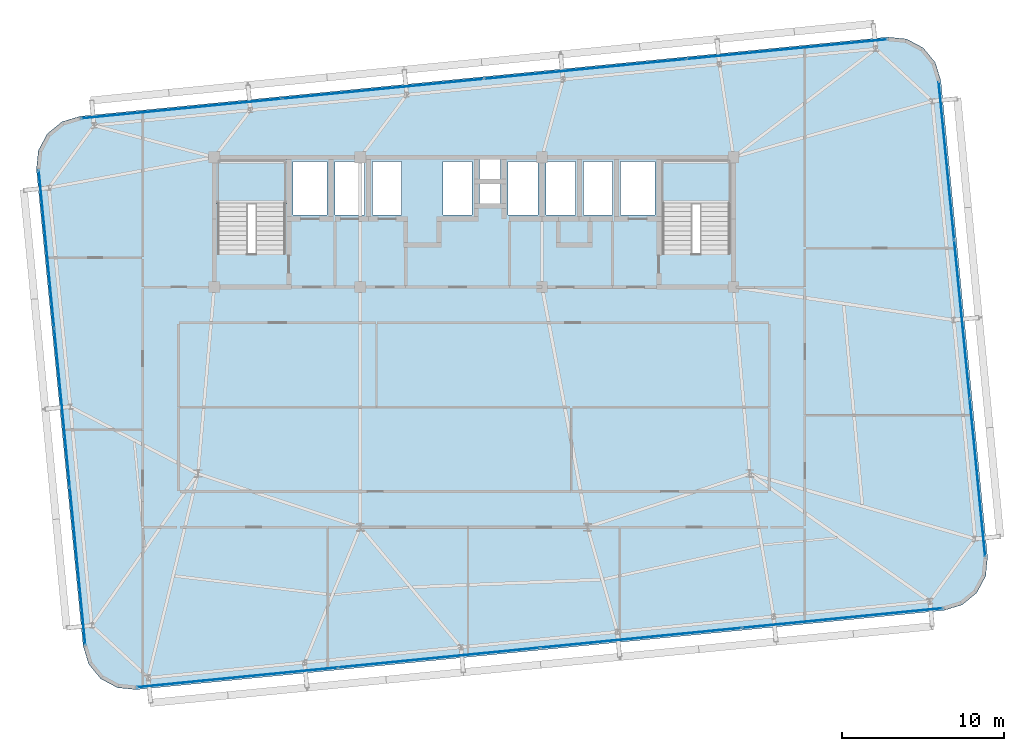
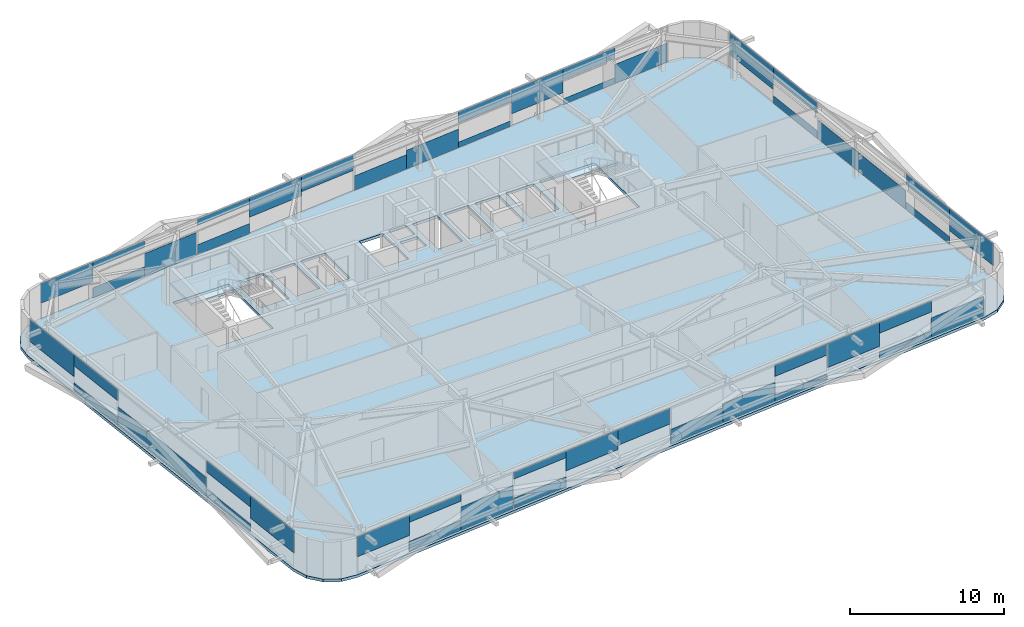
# One storey, part 32 of 47: 46 plates, 3 slabs, 6 elements without a shape of their own.
"""IFC4 building model written with IfcOpenShell, lengths in metres."""

from ifc_helpers import new_model, si_unit, direction, frame, origin, origin_2d, place, context, subcontext, project, spatial, polyline, rectangle, outline, extrude, source, transform, mapped, material, layer, layer_set, type_object, element, aggregate, save


model = new_model("IFC4")

# Units and contexts
model_context = context("Model", 3, precision=1e-05, world=origin(), true_north=direction((0.0, 1.0)))
body_context = subcontext(model_context, "Body", "Model", "MODEL_VIEW")
ifc_project = project(units=[si_unit("LENGTHUNIT", "METRE"), si_unit("AREAUNIT", "SQUARE_METRE"), si_unit("VOLUMEUNIT", "CUBIC_METRE"), si_unit("PLANEANGLEUNIT", "RADIAN"), si_unit("MASSUNIT", "GRAM", prefix="KILO")], contexts=[model_context])

# Site, building, storey
site_placement = place(None, origin())
site = spatial("IfcSite", under=ifc_project, at=site_placement, CompositionType="ELEMENT")
building_placement = place(site_placement, origin())
building = spatial("IfcBuilding", under=site, at=building_placement, Name="Taldren Reach Tower", CompositionType="ELEMENT")
storey_placement = place(building_placement, frame((0.0, 0.0, 87.14990234375)))
storey = spatial("IfcBuildingStorey", under=building, at=storey_placement, Name="L26", CompositionType="ELEMENT", Elevation=87.14990234375)

# Slab
ifc_material_1 = material(Name="Concrete N40 (40 MPa)", Category="concrete")
ifc_layer_1 = layer(ifc_material_1, 0.219970703125)
ifc_layer_set_1 = layer_set([ifc_layer_1], Name="Concrete N40 (40 MPa)")
slab_type_1 = type_object("IfcSlabType", Name="SL-FLR-220", PredefinedType="FLOOR", material=ifc_layer_set_1)
slab_1_placement = place(storey_placement, frame((0.0, 0.0, -0.219970703125)))
element("IfcSlab", 1, at=slab_1_placement, inside=storey, type_object=slab_type_1, Name="Suspended floor slab L26", PredefinedType="FLOOR", context=body_context, shape_type="SweptSolid", body=[
    extrude(outline(polyline([(63.962890625, 4.07421875), (65.0830078125, 4.41357421875), (65.98828125, 5.15576171875), (66.54052734375, 6.187744140625), (66.65576171875, 7.352783203125), (63.777099609375, 36.7119140625), (63.437744140625, 37.832275390625), (62.695556640625, 38.7373046875), (61.663330078125, 39.28955078125), (60.49853515625, 39.40478515625), (10.7373046875, 34.525634765625), (9.616943359375, 34.1865234375), (8.711669921875, 33.4443359375), (8.159423828125, 32.412109375), (8.044189453125, 31.247314453125), (10.923095703125, 1.88818359375), (11.26220703125, 0.767822265625), (12.00439453125, -0.137451171875), (13.03662109375, -0.689697265625), (14.201416015625, -0.804931640625), (63.962890625, 4.07421875)]), holes=[polyline([(19.219970703125, 26.050048828125), (23.3798828125, 26.050048828125), (23.3798828125, 31.820068359375), (19.219970703125, 31.820068359375), (19.219970703125, 26.050048828125)]), polyline([(46.6201171875, 26.050048828125), (50.780029296875, 26.050048828125), (50.780029296875, 31.820068359375), (46.6201171875, 31.820068359375), (46.6201171875, 26.050048828125)]), polyline([(23.85009765625, 28.449951171875), (25.949951171875, 28.449951171875), (25.949951171875, 31.75), (23.85009765625, 31.75), (23.85009765625, 28.449951171875)]), polyline([(44.050048828125, 28.449951171875), (46.14990234375, 28.449951171875), (46.14990234375, 31.75), (44.050048828125, 31.75), (44.050048828125, 28.449951171875)]), polyline([(26.449951171875, 28.449951171875), (28.25, 28.449951171875), (28.25, 31.75), (26.449951171875, 31.75), (26.449951171875, 28.449951171875)]), polyline([(28.75, 28.449951171875), (30.550048828125, 28.449951171875), (30.550048828125, 31.75), (28.75, 31.75), (28.75, 28.449951171875)]), polyline([(33.10009765625, 28.449951171875), (34.89990234375, 28.449951171875), (34.89990234375, 31.75), (33.10009765625, 31.75), (33.10009765625, 28.449951171875)]), polyline([(37.10009765625, 28.449951171875), (38.949951171875, 28.449951171875), (38.949951171875, 31.75), (37.10009765625, 31.75), (37.10009765625, 28.449951171875)]), polyline([(39.449951171875, 28.449951171875), (41.25, 28.449951171875), (41.25, 31.75), (39.449951171875, 31.75), (39.449951171875, 28.449951171875)]), polyline([(41.75, 28.449951171875), (43.550048828125, 28.449951171875), (43.550048828125, 31.75), (41.75, 31.75), (41.75, 28.449951171875)]), polyline([(35.35009765625, 30.64990234375), (36.64990234375, 30.64990234375), (36.64990234375, 31.85009765625), (35.35009765625, 31.85009765625), (35.35009765625, 30.64990234375)]), polyline([(35.35009765625, 29.14990234375), (36.64990234375, 29.14990234375), (36.64990234375, 30.35009765625), (35.35009765625, 30.35009765625), (35.35009765625, 29.14990234375)])]), origin(), (0.0, 0.0, 1.0), 0.219970703125),
])

# Stair, slab
ifc_material_2 = material(Name="Concrete S50 (50 MPa)", Category="concrete")
stair_type = type_object("IfcStairType", Name="ST-HT-315", PredefinedType="HALF_TURN_STAIR", material=ifc_material_2)
stair_1_placement = place(storey_placement, origin())
stair_1 = element("IfcStair", 2, at=stair_1_placement, inside=storey, type_object=stair_type, Name="Fire-isolated exit stair ST1 L26", PredefinedType="HALF_TURN_STAIR")
ifc_layer_2 = layer(ifc_material_2, 0.179931640625)
ifc_layer_set_2 = layer_set([ifc_layer_2], Name="Concrete S50 (50 MPa)")
slab_type_2 = type_object("IfcSlabType", Name="SL-LAND-180", PredefinedType="LANDING", material=ifc_layer_set_2)
slab_2_placement = place(storey_placement, frame((0.0, 0.0, 1.39501953125)))
slab_2 = element("IfcSlab", 3, at=slab_2_placement, type_object=slab_type_2, Name="ST1 landing 1", PredefinedType="LANDING", context=body_context, shape_type="SweptSolid", body=[
    extrude(outline(polyline([(19.0400390625, 29.135009765625), (23.56005859375, 29.135009765625), (23.56005859375, 31.8701171875), (19.0400390625, 31.8701171875), (19.0400390625, 29.135009765625)])), origin(), (0.0, 0.0, 1.0), 0.18017578125),
])
aggregate(stair_1, [slab_2])

stair_2_placement = place(storey_placement, origin())
stair_2 = element("IfcStair", 4, at=stair_2_placement, inside=storey, type_object=stair_type, Name="Fire-isolated exit stair ST2 L26", PredefinedType="HALF_TURN_STAIR")
slab_3_placement = place(storey_placement, frame((0.0, 0.0, 1.39501953125)))
slab_3 = element("IfcSlab", 5, at=slab_3_placement, type_object=slab_type_2, Name="ST2 landing 1", PredefinedType="LANDING", context=body_context, shape_type="SweptSolid", body=[
    extrude(outline(polyline([(46.43994140625, 29.135009765625), (50.9599609375, 29.135009765625), (50.9599609375, 31.8701171875), (46.43994140625, 31.8701171875), (46.43994140625, 29.135009765625)])), origin(), (0.0, 0.0, 1.0), 0.18017578125),
])
aggregate(stair_2, [slab_3])

# Curtain wall, plate
ifc_material_3 = material(Name="Aluminium and Low-E Glass Unitised System", Category="aluminium")
ifc_layer_3 = layer(ifc_material_3, 0.159912109375)
ifc_layer_set_3 = layer_set([ifc_layer_3], Name="Aluminium and Low-E Glass Unitised System")
curtain_wall_type = type_object("IfcCurtainWallType", Name="CW-SYS-3", PredefinedType="NOTDEFINED", material=ifc_layer_set_3)
curtain_wall_1_placement = place(storey_placement, origin())
curtain_wall_1 = element("IfcCurtainWall", 6, at=curtain_wall_1_placement, inside=storey, type_object=curtain_wall_type, Name="Unitised curtain wall CW-L26-S", PredefinedType="NOTDEFINED")
ifc_material_4 = material(Name="Solar-Control Double Glazed IGU", Category="glass")
ifc_layer_4 = layer(ifc_material_4, 0.031982421875)
ifc_layer_set_4 = layer_set([ifc_layer_4], Name="Solar-Control Double Glazed IGU")
plate_type = type_object("IfcPlateType", Name="CW-PNL-IGU32", PredefinedType="CURTAIN_PANEL", material=ifc_layer_set_4)
shared_shape_1 = source(origin(), body_context, "Body", "SweptSolid", [
    extrude(rectangle(XDim=4.13427734375, YDim=0.031982421875, at=origin_2d()), origin(), (0.0, 0.0, 1.0), 1.5595703125),
])
plate_1_placement = place(storey_placement, frame((16.3095703125, -0.45751953125, 1.3154296875), z_axis=(0.0, 0.0, 1.0), x_axis=(0.995227390247, 0.097582999046, 0.0)))
plate_1 = element("IfcPlate", 7, at=plate_1_placement, type_object=plate_type, Name="CW-3 panel 1.1 part 1", PredefinedType="CURTAIN_PANEL", context=body_context, shape_type="MappedRepresentation", body=[
    mapped(shared_shape_1, transform((0.0, 0.0, 0.0), scale=1.0)),
])

curtain_wall_2_placement = place(storey_placement, origin())
curtain_wall_2 = element("IfcCurtainWall", 8, at=curtain_wall_2_placement, inside=storey, type_object=curtain_wall_type, Name="Unitised curtain wall CW-L26-N", PredefinedType="NOTDEFINED")
plate_2_placement = place(storey_placement, frame((12.872802734375, 34.594482421875, 1.3154296875), z_axis=(0.0, 0.0, 1.0), x_axis=(-0.995227390247, -0.097582999046, 0.0)))
plate_2 = element("IfcPlate", 9, at=plate_2_placement, type_object=plate_type, Name="CW-3 panel 4.1 part 4", PredefinedType="CURTAIN_PANEL", context=body_context, shape_type="MappedRepresentation", body=[
    mapped(shared_shape_1, transform((0.0, 0.0, 0.0), scale=1.0)),
])

# Plate
shared_shape_2 = source(origin(), body_context, "Body", "SweptSolid", [
    extrude(rectangle(XDim=4.13427734375, YDim=0.031982421875, at=origin_2d()), origin(), (0.0, 0.0, 1.0), 0.776123046875),
])
plate_3_placement = place(storey_placement, frame((20.424072265625, -0.053955078125, 0.05517578125), z_axis=(0.0, 0.0, 1.0), x_axis=(0.995227390247, 0.097582999046, 0.0)))
plate_3 = element("IfcPlate", 10, at=plate_3_placement, type_object=plate_type, Name="CW-3 panel 1.1 part 2", PredefinedType="CURTAIN_PANEL", context=body_context, shape_type="MappedRepresentation", body=[
    mapped(shared_shape_2, transform((0.0, 0.0, 0.0), scale=1.0)),
])

plate_4_placement = place(storey_placement, frame((16.9873046875, 34.997802734375, 0.05517578125), z_axis=(0.0, 0.0, 1.0), x_axis=(-0.995227390247, -0.097582999046, 0.0)))
plate_4 = element("IfcPlate", 11, at=plate_4_placement, type_object=plate_type, Name="CW-3 panel 4.1 part 2", PredefinedType="CURTAIN_PANEL", context=body_context, shape_type="MappedRepresentation", body=[
    mapped(shared_shape_2, transform((0.0, 0.0, 0.0), scale=1.0)),
])

shared_shape_3 = source(origin(), body_context, "Body", "SweptSolid", [
    extrude(rectangle(XDim=4.13427734375, YDim=0.031982421875, at=origin_2d()), origin(), (0.0, 0.0, 1.0), 0.521728515625),
])
plate_5_placement = place(storey_placement, frame((20.424072265625, -0.053955078125, 2.353515625), z_axis=(0.0, 0.0, 1.0), x_axis=(0.995227390247, 0.097582999046, 0.0)))
plate_5 = element("IfcPlate", 12, at=plate_5_placement, type_object=plate_type, Name="CW-3 panel 1.1 part 3", PredefinedType="CURTAIN_PANEL", context=body_context, shape_type="MappedRepresentation", body=[
    mapped(shared_shape_3, transform((0.0, 0.0, 0.0), scale=1.0)),
])

plate_6_placement = place(storey_placement, frame((16.9873046875, 34.997802734375, 2.353515625), z_axis=(0.0, 0.0, 1.0), x_axis=(-0.995227390247, -0.097582999046, 0.0)))
plate_6 = element("IfcPlate", 13, at=plate_6_placement, type_object=plate_type, Name="CW-3 panel 4.1 part 3", PredefinedType="CURTAIN_PANEL", context=body_context, shape_type="MappedRepresentation", body=[
    mapped(shared_shape_3, transform((0.0, 0.0, 0.0), scale=1.0)),
])

shared_shape_4 = source(origin(), body_context, "Body", "SweptSolid", [
    extrude(rectangle(XDim=4.13427734375, YDim=0.031982421875, at=origin_2d()), origin(), (0.0, 0.0, 1.0), 1.81396484375),
])
plate_7_placement = place(storey_placement, frame((24.53857421875, 0.349365234375, 0.05517578125), z_axis=(0.0, 0.0, 1.0), x_axis=(0.995227390247, 0.097582999046, 0.0)))
plate_7 = element("IfcPlate", 14, at=plate_7_placement, type_object=plate_type, Name="CW-3 panel 1.1 part 4", PredefinedType="CURTAIN_PANEL", context=body_context, shape_type="MappedRepresentation", body=[
    mapped(shared_shape_4, transform((0.0, 0.0, 0.0), scale=1.0)),
])

plate_8_placement = place(storey_placement, frame((21.1015625, 35.4013671875, 0.05517578125), z_axis=(0.0, 0.0, 1.0), x_axis=(-0.995227390247, -0.097582999046, 0.0)))
plate_8 = element("IfcPlate", 15, at=plate_8_placement, type_object=plate_type, Name="CW-3 panel 4.1 part 1", PredefinedType="CURTAIN_PANEL", context=body_context, shape_type="MappedRepresentation", body=[
    mapped(shared_shape_4, transform((0.0, 0.0, 0.0), scale=1.0)),
])

shared_shape_5 = source(origin(), body_context, "Body", "SweptSolid", [
    extrude(rectangle(XDim=4.14501953125, YDim=0.031982421875, at=origin_2d()), origin(), (0.0, 0.0, 1.0), 0.797119140625),
])
plate_9_placement = place(storey_placement, frame((28.72314453125, 0.759765625, 0.05517578125), z_axis=(0.0, 0.0, 1.0), x_axis=(0.995227390247, 0.097582999046, 0.0)))
plate_9 = element("IfcPlate", 16, at=plate_9_placement, type_object=plate_type, Name="CW-3 panel 2.1 part 1", PredefinedType="CURTAIN_PANEL", context=body_context, shape_type="MappedRepresentation", body=[
    mapped(shared_shape_5, transform((0.0, 0.0, 0.0), scale=1.0)),
])

plate_10_placement = place(storey_placement, frame((25.2861328125, 35.8115234375, 0.05517578125), z_axis=(0.0, 0.0, 1.0), x_axis=(-0.995227390247, -0.097582999046, 0.0)))
plate_10 = element("IfcPlate", 17, at=plate_10_placement, type_object=plate_type, Name="CW-3 panel 3.1 part 3", PredefinedType="CURTAIN_PANEL", context=body_context, shape_type="MappedRepresentation", body=[
    mapped(shared_shape_5, transform((0.0, 0.0, 0.0), scale=1.0)),
])

shared_shape_6 = source(origin(), body_context, "Body", "SweptSolid", [
    extrude(rectangle(XDim=4.14501953125, YDim=0.031982421875, at=origin_2d()), origin(), (0.0, 0.0, 1.0), 0.498046875),
])
plate_11_placement = place(storey_placement, frame((28.72314453125, 0.759765625, 2.376953125), z_axis=(0.0, 0.0, 1.0), x_axis=(0.995227390247, 0.097582999046, 0.0)))
plate_11 = element("IfcPlate", 18, at=plate_11_placement, type_object=plate_type, Name="CW-3 panel 2.1 part 2", PredefinedType="CURTAIN_PANEL", context=body_context, shape_type="MappedRepresentation", body=[
    mapped(shared_shape_6, transform((0.0, 0.0, 0.0), scale=1.0)),
])

plate_12_placement = place(storey_placement, frame((25.2861328125, 35.8115234375, 2.376953125), z_axis=(0.0, 0.0, 1.0), x_axis=(-0.995227390247, -0.097582999046, 0.0)))
plate_12 = element("IfcPlate", 19, at=plate_12_placement, type_object=plate_type, Name="CW-3 panel 3.1 part 4", PredefinedType="CURTAIN_PANEL", context=body_context, shape_type="MappedRepresentation", body=[
    mapped(shared_shape_6, transform((0.0, 0.0, 0.0), scale=1.0)),
])

shared_shape_7 = source(origin(), body_context, "Body", "SweptSolid", [
    extrude(rectangle(XDim=4.14501953125, YDim=0.031982421875, at=origin_2d()), origin(), (0.0, 0.0, 1.0), 1.53857421875),
])
plate_13_placement = place(storey_placement, frame((32.84814453125, 1.1640625, 1.33642578125), z_axis=(0.0, 0.0, 1.0), x_axis=(0.995227390247, 0.097582999046, 0.0)))
plate_13 = element("IfcPlate", 20, at=plate_13_placement, type_object=plate_type, Name="CW-3 panel 2.1 part 3", PredefinedType="CURTAIN_PANEL", context=body_context, shape_type="MappedRepresentation", body=[
    mapped(shared_shape_7, transform((0.0, 0.0, 0.0), scale=1.0)),
])

plate_14_placement = place(storey_placement, frame((29.411376953125, 36.216064453125, 1.33642578125), z_axis=(0.0, 0.0, 1.0), x_axis=(-0.995227390247, -0.097582999046, 0.0)))
plate_14 = element("IfcPlate", 21, at=plate_14_placement, type_object=plate_type, Name="CW-3 panel 3.1 part 2", PredefinedType="CURTAIN_PANEL", context=body_context, shape_type="MappedRepresentation", body=[
    mapped(shared_shape_7, transform((0.0, 0.0, 0.0), scale=1.0)),
])

shared_shape_8 = source(origin(), body_context, "Body", "SweptSolid", [
    extrude(rectangle(XDim=4.14501953125, YDim=0.031982421875, at=origin_2d()), origin(), (0.0, 0.0, 1.0), 1.2060546875),
])
plate_15_placement = place(storey_placement, frame((36.973388671875, 1.568603515625, 1.6689453125), z_axis=(0.0, 0.0, 1.0), x_axis=(0.995227390247, 0.097582999046, 0.0)))
plate_15 = element("IfcPlate", 22, at=plate_15_placement, type_object=plate_type, Name="CW-3 panel 2.1 part 4", PredefinedType="CURTAIN_PANEL", context=body_context, shape_type="MappedRepresentation", body=[
    mapped(shared_shape_8, transform((0.0, 0.0, 0.0), scale=1.0)),
])

plate_16_placement = place(storey_placement, frame((33.53662109375, 36.62060546875, 1.6689453125), z_axis=(0.0, 0.0, 1.0), x_axis=(-0.995227390247, -0.097582999046, 0.0)))
plate_16 = element("IfcPlate", 23, at=plate_16_placement, type_object=plate_type, Name="CW-3 panel 3.1 part 1", PredefinedType="CURTAIN_PANEL", context=body_context, shape_type="MappedRepresentation", body=[
    mapped(shared_shape_8, transform((0.0, 0.0, 0.0), scale=1.0)),
])

shared_shape_9 = source(origin(), body_context, "Body", "SweptSolid", [
    extrude(rectangle(XDim=4.14501953125, YDim=0.031982421875, at=origin_2d()), origin(), (0.0, 0.0, 1.0), 1.14599609375),
])
plate_17_placement = place(storey_placement, frame((41.163330078125, 1.9794921875, 0.05517578125), z_axis=(0.0, 0.0, 1.0), x_axis=(0.995227390247, 0.097582999046, 0.0)))
plate_17 = element("IfcPlate", 24, at=plate_17_placement, type_object=plate_type, Name="CW-3 panel 3.1 part 1", PredefinedType="CURTAIN_PANEL", context=body_context, shape_type="MappedRepresentation", body=[
    mapped(shared_shape_9, transform((0.0, 0.0, 0.0), scale=1.0)),
])

plate_18_placement = place(storey_placement, frame((37.7265625, 37.03125, 0.05517578125), z_axis=(0.0, 0.0, 1.0), x_axis=(-0.995227390247, -0.097582999046, 0.0)))
plate_18 = element("IfcPlate", 25, at=plate_18_placement, type_object=plate_type, Name="CW-3 panel 2.1 part 4", PredefinedType="CURTAIN_PANEL", context=body_context, shape_type="MappedRepresentation", body=[
    mapped(shared_shape_9, transform((0.0, 0.0, 0.0), scale=1.0)),
])

shared_shape_10 = source(origin(), body_context, "Body", "SweptSolid", [
    extrude(rectangle(XDim=4.14501953125, YDim=0.031982421875, at=origin_2d()), origin(), (0.0, 0.0, 1.0), 1.478759765625),
])
plate_19_placement = place(storey_placement, frame((45.28857421875, 2.384033203125, 0.05517578125), z_axis=(0.0, 0.0, 1.0), x_axis=(0.995227390247, 0.097582999046, 0.0)))
plate_19 = element("IfcPlate", 26, at=plate_19_placement, type_object=plate_type, Name="CW-3 panel 3.1 part 2", PredefinedType="CURTAIN_PANEL", context=body_context, shape_type="MappedRepresentation", body=[
    mapped(shared_shape_10, transform((0.0, 0.0, 0.0), scale=1.0)),
])

plate_20_placement = place(storey_placement, frame((41.851806640625, 37.435791015625, 0.05517578125), z_axis=(0.0, 0.0, 1.0), x_axis=(-0.995227390247, -0.097582999046, 0.0)))
plate_20 = element("IfcPlate", 27, at=plate_20_placement, type_object=plate_type, Name="CW-3 panel 2.1 part 3", PredefinedType="CURTAIN_PANEL", context=body_context, shape_type="MappedRepresentation", body=[
    mapped(shared_shape_10, transform((0.0, 0.0, 0.0), scale=1.0)),
])

shared_shape_11 = source(origin(), body_context, "Body", "SweptSolid", [
    extrude(rectangle(XDim=4.14501953125, YDim=0.031982421875, at=origin_2d()), origin(), (0.0, 0.0, 1.0), 0.43798828125),
])
plate_21_placement = place(storey_placement, frame((49.413818359375, 2.788330078125, 0.05517578125), z_axis=(0.0, 0.0, 1.0), x_axis=(0.995227390247, 0.097582999046, 0.0)))
plate_21 = element("IfcPlate", 28, at=plate_21_placement, type_object=plate_type, Name="CW-3 panel 3.1 part 3", PredefinedType="CURTAIN_PANEL", context=body_context, shape_type="MappedRepresentation", body=[
    mapped(shared_shape_11, transform((0.0, 0.0, 0.0), scale=1.0)),
])

plate_22_placement = place(storey_placement, frame((45.97705078125, 37.84033203125, 0.05517578125), z_axis=(0.0, 0.0, 1.0), x_axis=(-0.995227390247, -0.097582999046, 0.0)))
plate_22 = element("IfcPlate", 29, at=plate_22_placement, type_object=plate_type, Name="CW-3 panel 2.1 part 1", PredefinedType="CURTAIN_PANEL", context=body_context, shape_type="MappedRepresentation", body=[
    mapped(shared_shape_11, transform((0.0, 0.0, 0.0), scale=1.0)),
])

shared_shape_12 = source(origin(), body_context, "Body", "SweptSolid", [
    extrude(rectangle(XDim=4.14501953125, YDim=0.031982421875, at=origin_2d()), origin(), (0.0, 0.0, 1.0), 0.857177734375),
])
plate_23_placement = place(storey_placement, frame((49.413818359375, 2.788330078125, 2.01806640625), z_axis=(0.0, 0.0, 1.0), x_axis=(0.995227390247, 0.097582999046, 0.0)))
plate_23 = element("IfcPlate", 30, at=plate_23_placement, type_object=plate_type, Name="CW-3 panel 3.1 part 4", PredefinedType="CURTAIN_PANEL", context=body_context, shape_type="MappedRepresentation", body=[
    mapped(shared_shape_12, transform((0.0, 0.0, 0.0), scale=1.0)),
])

plate_24_placement = place(storey_placement, frame((45.97705078125, 37.84033203125, 2.01806640625), z_axis=(0.0, 0.0, 1.0), x_axis=(-0.995227390247, -0.097582999046, 0.0)))
plate_24 = element("IfcPlate", 31, at=plate_24_placement, type_object=plate_type, Name="CW-3 panel 2.1 part 2", PredefinedType="CURTAIN_PANEL", context=body_context, shape_type="MappedRepresentation", body=[
    mapped(shared_shape_12, transform((0.0, 0.0, 0.0), scale=1.0)),
])

shared_shape_13 = source(origin(), body_context, "Body", "SweptSolid", [
    extrude(rectangle(XDim=4.13427734375, YDim=0.031982421875, at=origin_2d()), origin(), (0.0, 0.0, 1.0), 1.8740234375),
])
plate_25_placement = place(storey_placement, frame((53.598388671875, 3.19873046875, 1.0009765625), z_axis=(0.0, 0.0, 1.0), x_axis=(0.995227390247, 0.097582999046, 0.0)))
plate_25 = element("IfcPlate", 32, at=plate_25_placement, type_object=plate_type, Name="CW-3 panel 4.1 part 1", PredefinedType="CURTAIN_PANEL", context=body_context, shape_type="MappedRepresentation", body=[
    mapped(shared_shape_13, transform((0.0, 0.0, 0.0), scale=1.0)),
])

plate_26_placement = place(storey_placement, frame((50.161376953125, 38.250732421875, 1.0009765625), z_axis=(0.0, 0.0, 1.0), x_axis=(-0.995227390247, -0.097582999046, 0.0)))
plate_26 = element("IfcPlate", 33, at=plate_26_placement, type_object=plate_type, Name="CW-3 panel 1.1 part 4", PredefinedType="CURTAIN_PANEL", context=body_context, shape_type="MappedRepresentation", body=[
    mapped(shared_shape_13, transform((0.0, 0.0, 0.0), scale=1.0)),
])

shared_shape_14 = source(origin(), body_context, "Body", "SweptSolid", [
    extrude(rectangle(XDim=4.13427734375, YDim=0.031982421875, at=origin_2d()), origin(), (0.0, 0.0, 1.0), 0.461669921875),
])
plate_27_placement = place(storey_placement, frame((57.712890625, 3.60205078125, 0.05517578125), z_axis=(0.0, 0.0, 1.0), x_axis=(0.995227390247, 0.097582999046, 0.0)))
plate_27 = element("IfcPlate", 34, at=plate_27_placement, type_object=plate_type, Name="CW-3 panel 4.1 part 2", PredefinedType="CURTAIN_PANEL", context=body_context, shape_type="MappedRepresentation", body=[
    mapped(shared_shape_14, transform((0.0, 0.0, 0.0), scale=1.0)),
])

plate_28_placement = place(storey_placement, frame((54.27587890625, 38.654052734375, 0.05517578125), z_axis=(0.0, 0.0, 1.0), x_axis=(-0.995227390247, -0.097582999046, 0.0)))
plate_28 = element("IfcPlate", 35, at=plate_28_placement, type_object=plate_type, Name="CW-3 panel 1.1 part 2", PredefinedType="CURTAIN_PANEL", context=body_context, shape_type="MappedRepresentation", body=[
    mapped(shared_shape_14, transform((0.0, 0.0, 0.0), scale=1.0)),
])

shared_shape_15 = source(origin(), body_context, "Body", "SweptSolid", [
    extrude(rectangle(XDim=4.13427734375, YDim=0.031982421875, at=origin_2d()), origin(), (0.0, 0.0, 1.0), 0.836181640625),
])
plate_29_placement = place(storey_placement, frame((57.712890625, 3.60205078125, 2.0390625), z_axis=(0.0, 0.0, 1.0), x_axis=(0.995227390247, 0.097582999046, 0.0)))
plate_29 = element("IfcPlate", 36, at=plate_29_placement, type_object=plate_type, Name="CW-3 panel 4.1 part 3", PredefinedType="CURTAIN_PANEL", context=body_context, shape_type="MappedRepresentation", body=[
    mapped(shared_shape_15, transform((0.0, 0.0, 0.0), scale=1.0)),
])

plate_30_placement = place(storey_placement, frame((54.27587890625, 38.654052734375, 2.0390625), z_axis=(0.0, 0.0, 1.0), x_axis=(-0.995227390247, -0.097582999046, 0.0)))
plate_30 = element("IfcPlate", 37, at=plate_30_placement, type_object=plate_type, Name="CW-3 panel 1.1 part 3", PredefinedType="CURTAIN_PANEL", context=body_context, shape_type="MappedRepresentation", body=[
    mapped(shared_shape_15, transform((0.0, 0.0, 0.0), scale=1.0)),
])

shared_shape_16 = source(origin(), body_context, "Body", "SweptSolid", [
    extrude(rectangle(XDim=4.13427734375, YDim=0.031982421875, at=origin_2d()), origin(), (0.0, 0.0, 1.0), 1.49951171875),
])
plate_31_placement = place(storey_placement, frame((61.8271484375, 4.005615234375, 0.05517578125), z_axis=(0.0, 0.0, 1.0), x_axis=(0.995227390247, 0.097582999046, 0.0)))
plate_31 = element("IfcPlate", 38, at=plate_31_placement, type_object=plate_type, Name="CW-3 panel 4.1 part 4", PredefinedType="CURTAIN_PANEL", context=body_context, shape_type="MappedRepresentation", body=[
    mapped(shared_shape_16, transform((0.0, 0.0, 0.0), scale=1.0)),
])

aggregate(curtain_wall_1, [plate_1, plate_3, plate_5, plate_7, plate_9, plate_11, plate_13, plate_15, plate_17, plate_19, plate_21, plate_23, plate_25, plate_27, plate_29, plate_31])

plate_32_placement = place(storey_placement, frame((58.390380859375, 39.057373046875, 0.05517578125), z_axis=(0.0, 0.0, 1.0), x_axis=(-0.995227390247, -0.097582999046, 0.0)))
plate_32 = element("IfcPlate", 39, at=plate_32_placement, type_object=plate_type, Name="CW-3 panel 1.1 part 1", PredefinedType="CURTAIN_PANEL", context=body_context, shape_type="MappedRepresentation", body=[
    mapped(shared_shape_16, transform((0.0, 0.0, 0.0), scale=1.0)),
])

aggregate(curtain_wall_2, [plate_32, plate_28, plate_30, plate_26, plate_22, plate_24, plate_20, plate_18, plate_16, plate_14, plate_10, plate_12, plate_8, plate_4, plate_6, plate_2])

# Curtain wall, plates
curtain_wall_3_placement = place(storey_placement, origin())
curtain_wall_3 = element("IfcCurtainWall", 40, at=curtain_wall_3_placement, inside=storey, type_object=curtain_wall_type, Name="Unitised curtain wall CW-L26-W", PredefinedType="NOTDEFINED")
shared_shape_17 = source(origin(), body_context, "Body", "SweptSolid", [
    extrude(rectangle(XDim=4.867919921875, YDim=0.031982421875, at=origin_2d()), origin(), (0.0, 0.0, 1.0), 1.746826171875),
])
plate_33_placement = place(storey_placement, frame((8.427490234375, 28.77392578125, 1.12841796875), z_axis=(0.0, 0.0, 1.0), x_axis=(0.09758274098, -0.99522741555, 0.0)))
plate_33 = element("IfcPlate", 41, at=plate_33_placement, type_object=plate_type, Name="CW-3 panel 1.1 part 1", PredefinedType="CURTAIN_PANEL", context=body_context, shape_type="MappedRepresentation", body=[
    mapped(shared_shape_17, transform((0.0, 0.0, 0.0), scale=1.0)),
])
plate_34_placement = place(storey_placement, frame((10.818359375, 4.388671875, 1.12841796875), z_axis=(0.0, 0.0, 1.0), x_axis=(0.09758274098, -0.99522741555, 0.0)))
plate_34 = element("IfcPlate", 42, at=plate_34_placement, type_object=plate_type, Name="CW-3 panel 3.1 part 3", PredefinedType="CURTAIN_PANEL", context=body_context, shape_type="MappedRepresentation", body=[
    mapped(shared_shape_17, transform((0.0, 0.0, 0.0), scale=1.0)),
])

curtain_wall_4_placement = place(storey_placement, origin())
curtain_wall_4 = element("IfcCurtainWall", 43, at=curtain_wall_4_placement, inside=storey, type_object=curtain_wall_type, Name="Unitised curtain wall CW-L26-E", PredefinedType="NOTDEFINED")
plate_35_placement = place(storey_placement, frame((66.2724609375, 9.826171875, 1.12841796875), z_axis=(0.0, 0.0, 1.0), x_axis=(-0.09758274098, 0.99522741555, 0.0)))
plate_35 = element("IfcPlate", 44, at=plate_35_placement, type_object=plate_type, Name="CW-3 panel 1.1 part 1", PredefinedType="CURTAIN_PANEL", context=body_context, shape_type="MappedRepresentation", body=[
    mapped(shared_shape_17, transform((0.0, 0.0, 0.0), scale=1.0)),
])
plate_36_placement = place(storey_placement, frame((63.881591796875, 34.211181640625, 1.12841796875), z_axis=(0.0, 0.0, 1.0), x_axis=(-0.09758274098, 0.99522741555, 0.0)))
plate_36 = element("IfcPlate", 45, at=plate_36_placement, type_object=plate_type, Name="CW-3 panel 3.1 part 3", PredefinedType="CURTAIN_PANEL", context=body_context, shape_type="MappedRepresentation", body=[
    mapped(shared_shape_17, transform((0.0, 0.0, 0.0), scale=1.0)),
])

# Plate
shared_shape_18 = source(origin(), body_context, "Body", "SweptSolid", [
    extrude(rectangle(XDim=4.867919921875, YDim=0.031982421875, at=origin_2d()), origin(), (0.0, 0.0, 1.0), 0.595703125),
])
plate_37_placement = place(storey_placement, frame((8.902587890625, 23.92919921875, 0.05517578125), z_axis=(0.0, 0.0, 1.0), x_axis=(0.09758274098, -0.99522741555, 0.0)))
plate_37 = element("IfcPlate", 46, at=plate_37_placement, type_object=plate_type, Name="CW-3 panel 1.1 part 2", PredefinedType="CURTAIN_PANEL", context=body_context, shape_type="MappedRepresentation", body=[
    mapped(shared_shape_18, transform((0.0, 0.0, 0.0), scale=1.0)),
])

plate_38_placement = place(storey_placement, frame((10.343505859375, 9.2333984375, 0.05517578125), z_axis=(0.0, 0.0, 1.0), x_axis=(0.09758274098, -0.99522741555, 0.0)))
plate_38 = element("IfcPlate", 47, at=plate_38_placement, type_object=plate_type, Name="CW-3 panel 3.1 part 1", PredefinedType="CURTAIN_PANEL", context=body_context, shape_type="MappedRepresentation", body=[
    mapped(shared_shape_18, transform((0.0, 0.0, 0.0), scale=1.0)),
])

plate_39_placement = place(storey_placement, frame((65.797607421875, 14.670654296875, 0.05517578125), z_axis=(0.0, 0.0, 1.0), x_axis=(-0.09758274098, 0.99522741555, 0.0)))
plate_39 = element("IfcPlate", 48, at=plate_39_placement, type_object=plate_type, Name="CW-3 panel 1.1 part 2", PredefinedType="CURTAIN_PANEL", context=body_context, shape_type="MappedRepresentation", body=[
    mapped(shared_shape_18, transform((0.0, 0.0, 0.0), scale=1.0)),
])

plate_40_placement = place(storey_placement, frame((64.356689453125, 29.366455078125, 0.05517578125), z_axis=(0.0, 0.0, 1.0), x_axis=(-0.09758274098, 0.99522741555, 0.0)))
plate_40 = element("IfcPlate", 49, at=plate_40_placement, type_object=plate_type, Name="CW-3 panel 3.1 part 1", PredefinedType="CURTAIN_PANEL", context=body_context, shape_type="MappedRepresentation", body=[
    mapped(shared_shape_18, transform((0.0, 0.0, 0.0), scale=1.0)),
])

shared_shape_19 = source(origin(), body_context, "Body", "SweptSolid", [
    extrude(rectangle(XDim=4.867919921875, YDim=0.031982421875, at=origin_2d()), origin(), (0.0, 0.0, 1.0), 0.873779296875),
])
plate_41_placement = place(storey_placement, frame((8.902587890625, 23.92919921875, 2.00146484375), z_axis=(0.0, 0.0, 1.0), x_axis=(0.09758274098, -0.99522741555, 0.0)))
plate_41 = element("IfcPlate", 50, at=plate_41_placement, type_object=plate_type, Name="CW-3 panel 1.1 part 3", PredefinedType="CURTAIN_PANEL", context=body_context, shape_type="MappedRepresentation", body=[
    mapped(shared_shape_19, transform((0.0, 0.0, 0.0), scale=1.0)),
])

plate_42_placement = place(storey_placement, frame((10.343505859375, 9.2333984375, 2.00146484375), z_axis=(0.0, 0.0, 1.0), x_axis=(0.09758274098, -0.99522741555, 0.0)))
plate_42 = element("IfcPlate", 51, at=plate_42_placement, type_object=plate_type, Name="CW-3 panel 3.1 part 2", PredefinedType="CURTAIN_PANEL", context=body_context, shape_type="MappedRepresentation", body=[
    mapped(shared_shape_19, transform((0.0, 0.0, 0.0), scale=1.0)),
])

plate_43_placement = place(storey_placement, frame((65.797607421875, 14.670654296875, 2.00146484375), z_axis=(0.0, 0.0, 1.0), x_axis=(-0.09758274098, 0.99522741555, 0.0)))
plate_43 = element("IfcPlate", 52, at=plate_43_placement, type_object=plate_type, Name="CW-3 panel 1.1 part 3", PredefinedType="CURTAIN_PANEL", context=body_context, shape_type="MappedRepresentation", body=[
    mapped(shared_shape_19, transform((0.0, 0.0, 0.0), scale=1.0)),
])

plate_44_placement = place(storey_placement, frame((64.356689453125, 29.366455078125, 2.00146484375), z_axis=(0.0, 0.0, 1.0), x_axis=(-0.09758274098, 0.99522741555, 0.0)))
plate_44 = element("IfcPlate", 53, at=plate_44_placement, type_object=plate_type, Name="CW-3 panel 3.1 part 2", PredefinedType="CURTAIN_PANEL", context=body_context, shape_type="MappedRepresentation", body=[
    mapped(shared_shape_19, transform((0.0, 0.0, 0.0), scale=1.0)),
])

shared_shape_20 = source(origin(), body_context, "Body", "SweptSolid", [
    extrude(rectangle(XDim=9.768310546875, YDim=0.031982421875, at=origin_2d()), origin(), (0.0, 0.0, 1.0), 1.48046875),
])
plate_45_placement = place(storey_placement, frame((9.623046875, 16.581298828125, 0.05517578125), z_axis=(0.0, 0.0, 1.0), x_axis=(0.09758274098, -0.99522741555, 0.0)))
plate_45 = element("IfcPlate", 54, at=plate_45_placement, type_object=plate_type, Name="CW-3 panel 2.1 part 1", PredefinedType="CURTAIN_PANEL", context=body_context, shape_type="MappedRepresentation", body=[
    mapped(shared_shape_20, transform((0.0, 0.0, 0.0), scale=1.0)),
])

aggregate(curtain_wall_3, [plate_33, plate_37, plate_41, plate_45, plate_38, plate_42, plate_34])

plate_46_placement = place(storey_placement, frame((65.0771484375, 22.0185546875, 0.05517578125), z_axis=(0.0, 0.0, 1.0), x_axis=(-0.09758274098, 0.99522741555, 0.0)))
plate_46 = element("IfcPlate", 55, at=plate_46_placement, type_object=plate_type, Name="CW-3 panel 2.1 part 1", PredefinedType="CURTAIN_PANEL", context=body_context, shape_type="MappedRepresentation", body=[
    mapped(shared_shape_20, transform((0.0, 0.0, 0.0), scale=1.0)),
])

aggregate(curtain_wall_4, [plate_35, plate_39, plate_43, plate_46, plate_40, plate_44, plate_36])

save(model, "model.ifc")
